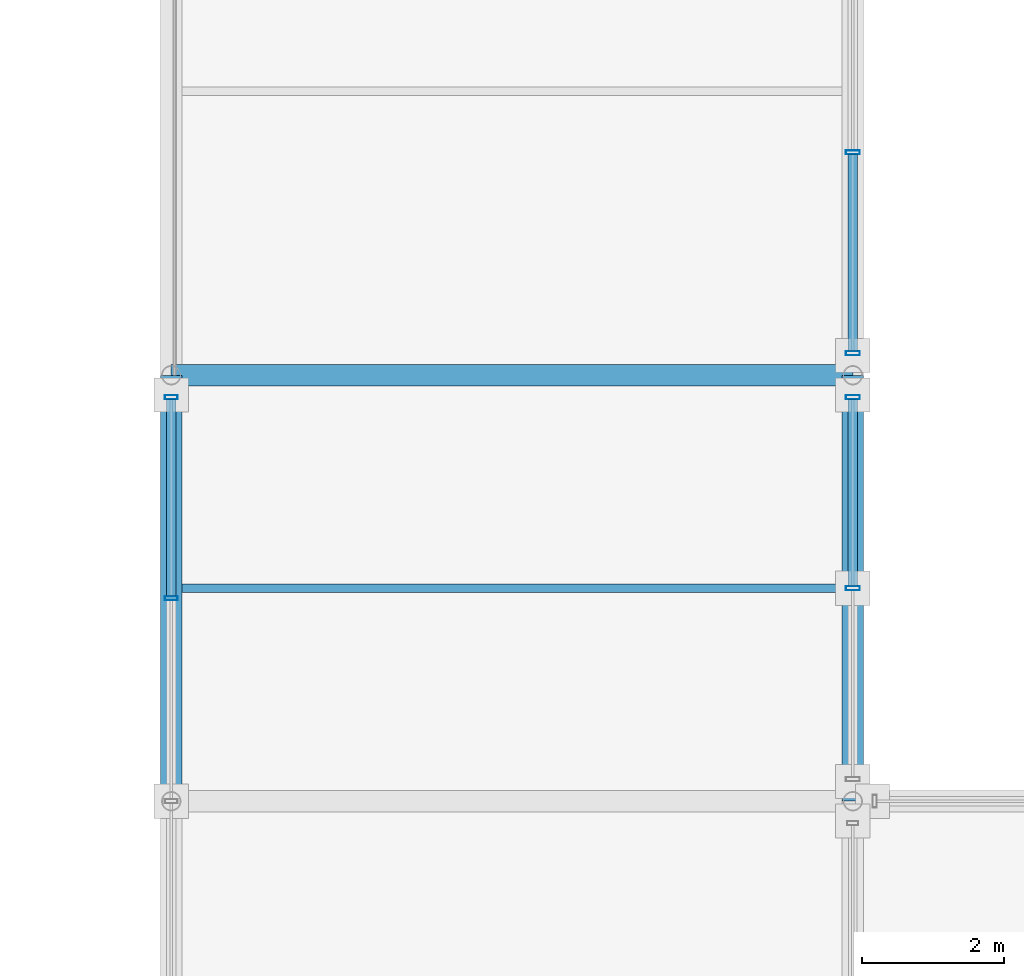
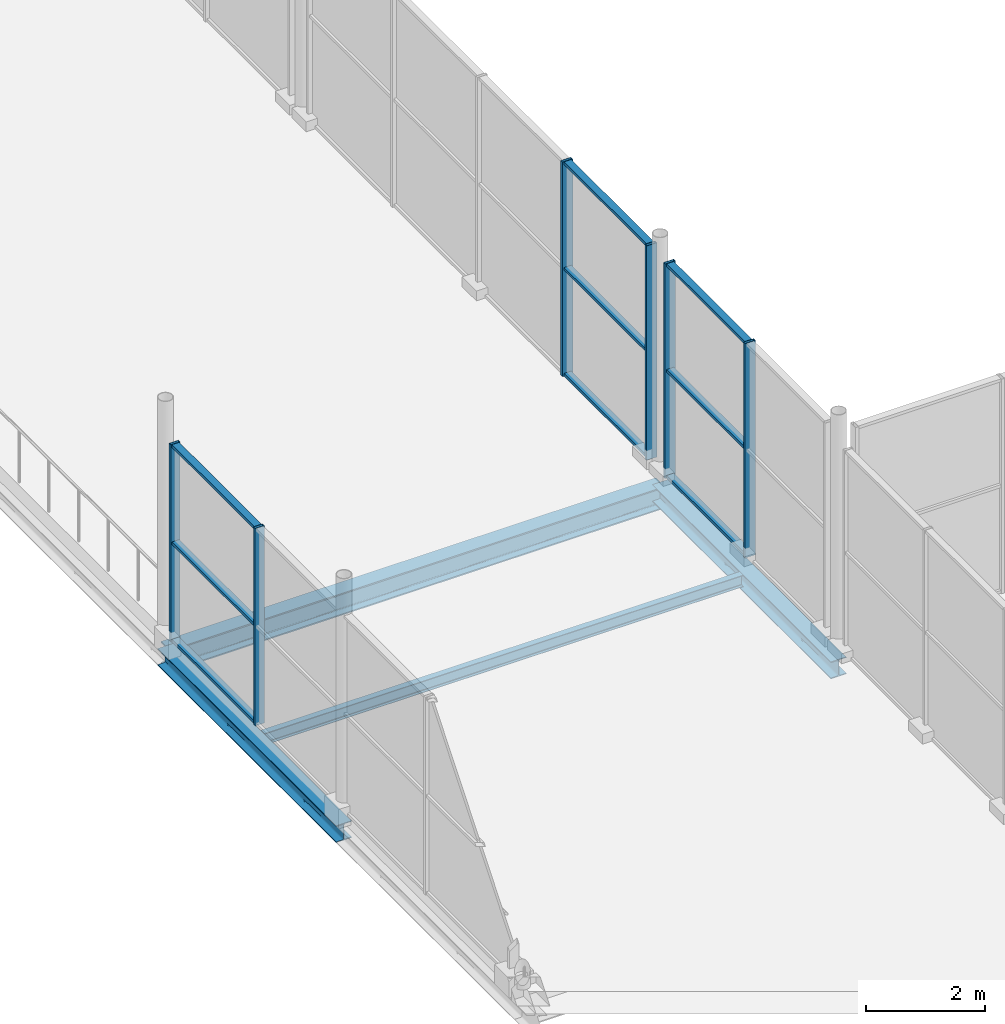
# One storey, part 60 of 159: 15 members, 4 beams, 3 elements without a shape of their own.
"""IFC4 building model written with IfcOpenShell, lengths in metres."""

from ifc_helpers import new_model, si_unit, direction, frame, origin, origin_2d, place, context, subcontext, project, spatial, hollow_rectangle, i_section, extrude, material, material_profile, profile_set, type_object, element, aggregate, save


model = new_model("IFC4")

# Units and contexts
model_context = context("Model", 3, precision=1e-05, world=origin(), true_north=direction((0.0, 1.0)))
body_context = subcontext(model_context, "Body", "Model", "MODEL_VIEW")
ifc_project = project(units=[si_unit("LENGTHUNIT", "METRE"), si_unit("AREAUNIT", "SQUARE_METRE"), si_unit("VOLUMEUNIT", "CUBIC_METRE"), si_unit("PLANEANGLEUNIT", "RADIAN"), si_unit("MASSUNIT", "GRAM", prefix="KILO")], contexts=[model_context])

# Site, building, storey
site_placement = place(None, origin())
site = spatial("IfcSite", under=ifc_project, at=site_placement, CompositionType="ELEMENT")
building_placement = place(site_placement, origin())
building = spatial("IfcBuilding", under=site, at=building_placement, Name="Merenkruunu Market Hall", CompositionType="ELEMENT")
storey_placement = place(building_placement, frame((0.0, 0.0, 5.39990234375)))
storey = spatial("IfcBuildingStorey", under=building, at=storey_placement, Name="L01", CompositionType="ELEMENT", Elevation=5.39990234375)

# Curtain wall, members
ifc_material_1 = material(Name="Powder-coated aluminium", Category="aluminium")
curtain_wall_type_1 = type_object("IfcCurtainWallType", Name="Glazed Curtain Wall CW16", PredefinedType="USERDEFINED", material=ifc_material_1)
curtain_wall_1_placement = place(storey_placement, origin())
curtain_wall_1 = element("IfcCurtainWall", 1, at=curtain_wall_1_placement, inside=storey, type_object=curtain_wall_type_1, Name="CW-L01-CWM02-173", ObjectType="GLAZED_FACADE", PredefinedType="USERDEFINED")
ifc_material_profile_1 = material_profile(ifc_material_1, hollow_rectangle(XDim=0.06005859375, YDim=0.179931640625, WallThickness=0.00390625, at=origin_2d()), Name="ALU 60x180x4")
ifc_profile_set_1 = profile_set([ifc_material_profile_1], Name="Powder-coated aluminium")
member_type_1 = type_object("IfcMemberType", Name="Curtain Wall Mullion CWM02", PredefinedType="MULLION", material=ifc_profile_set_1)
member_1_placement = place(storey_placement, frame((67.199951171875, 48.4599609375, 0.0), z_axis=(0.0, 0.0, 1.0), x_axis=(0.0, 1.0, 0.0)))
member_1 = element("IfcMember", 2, at=member_1_placement, type_object=member_type_1, Name="CW16 mullion 4", PredefinedType="MULLION", context=body_context, shape_type="SweptSolid", body=[
    extrude(hollow_rectangle(XDim=0.06005859375, YDim=0.179931640625, WallThickness=0.00390625, at=origin_2d()), origin(), (0.0, 0.0, 1.0), 4.050048828125),
])
member_2_placement = place(storey_placement, frame((67.199951171875, 51.2900390625, 0.0), z_axis=(0.0, 0.0, 1.0), x_axis=(0.0, 1.0, 0.0)))
member_2 = element("IfcMember", 3, at=member_2_placement, type_object=member_type_1, Name="CW16 mullion 5", PredefinedType="MULLION", context=body_context, shape_type="SweptSolid", body=[
    extrude(hollow_rectangle(XDim=0.06005859375, YDim=0.179931640625, WallThickness=0.00390625, at=origin_2d()), origin(), (0.0, 0.0, 1.0), 4.050048828125),
])

curtain_wall_type_2 = type_object("IfcCurtainWallType", Name="Glazed Curtain Wall CW11", PredefinedType="USERDEFINED", material=ifc_material_1)
curtain_wall_2_placement = place(storey_placement, origin())
curtain_wall_2 = element("IfcCurtainWall", 4, at=curtain_wall_2_placement, inside=storey, type_object=curtain_wall_type_2, Name="CW-L01-CWM03-157", ObjectType="GLAZED_FACADE", PredefinedType="USERDEFINED")
ifc_material_profile_2 = material_profile(ifc_material_1, hollow_rectangle(XDim=0.06005859375, YDim=0.199951171875, WallThickness=0.0048828125, at=origin_2d()), Name="ALU 60x200x5")
ifc_profile_set_2 = profile_set([ifc_material_profile_2], Name="Powder-coated aluminium")
member_type_2 = type_object("IfcMemberType", Name="Curtain Wall Mullion CWM03", PredefinedType="MULLION", material=ifc_profile_set_2)
member_3_placement = place(storey_placement, frame((76.800048828125, 51.2900390625, 0.0), z_axis=(0.0, 0.0, 1.0), x_axis=(0.0, -1.0, 0.0)))
member_3 = element("IfcMember", 5, at=member_3_placement, type_object=member_type_2, Name="CW11 mullion 1", PredefinedType="MULLION", context=body_context, shape_type="SweptSolid", body=[
    extrude(hollow_rectangle(XDim=0.06005859375, YDim=0.199951171875, WallThickness=0.0048828125, at=origin_2d()), origin(), (0.0, 0.0, 1.0), 4.400146484375),
])
member_4_placement = place(storey_placement, frame((76.800048828125, 48.60009765625, 0.0), z_axis=(0.0, 0.0, 1.0), x_axis=(0.0, -1.0, 0.0)))
member_4 = element("IfcMember", 6, at=member_4_placement, type_object=member_type_2, Name="CW11 mullion 2", PredefinedType="MULLION", context=body_context, shape_type="SweptSolid", body=[
    extrude(hollow_rectangle(XDim=0.06005859375, YDim=0.199951171875, WallThickness=0.0048828125, at=origin_2d()), origin(), (0.0, 0.0, 1.0), 4.400146484375),
])

curtain_wall_3_placement = place(storey_placement, origin())
curtain_wall_3 = element("IfcCurtainWall", 7, at=curtain_wall_3_placement, inside=storey, type_object=curtain_wall_type_2, Name="CW-L01-CWM03-160", ObjectType="GLAZED_FACADE", PredefinedType="USERDEFINED")
member_5_placement = place(storey_placement, frame((76.800048828125, 54.739990234375, 0.0), z_axis=(0.0, 0.0, 1.0), x_axis=(0.0, -1.0, 0.0)))
member_5 = element("IfcMember", 8, at=member_5_placement, type_object=member_type_2, Name="CW11 mullion 4", PredefinedType="MULLION", context=body_context, shape_type="SweptSolid", body=[
    extrude(hollow_rectangle(XDim=0.06005859375, YDim=0.199951171875, WallThickness=0.0048828125, at=origin_2d()), origin(), (0.0, 0.0, 1.0), 4.400146484375),
])
member_6_placement = place(storey_placement, frame((76.800048828125, 51.909912109375, 0.0), z_axis=(0.0, 0.0, 1.0), x_axis=(0.0, -1.0, 0.0)))
member_6 = element("IfcMember", 9, at=member_6_placement, type_object=member_type_2, Name="CW11 mullion 5", PredefinedType="MULLION", context=body_context, shape_type="SweptSolid", body=[
    extrude(hollow_rectangle(XDim=0.06005859375, YDim=0.199951171875, WallThickness=0.0048828125, at=origin_2d()), origin(), (0.0, 0.0, 1.0), 4.400146484375),
])

# Member
ifc_material_profile_3 = material_profile(ifc_material_1, hollow_rectangle(XDim=0.06005859375, YDim=0.139892578125, WallThickness=0.00390625, at=origin_2d()), Name="ALU 60x140x4")
ifc_profile_set_3 = profile_set([ifc_material_profile_3], Name="Powder-coated aluminium")
member_type_3 = type_object("IfcMemberType", Name="Curtain Wall Transom CWT02", PredefinedType="USERDEFINED", material=ifc_profile_set_3)
member_7_placement = place(storey_placement, frame((76.800048828125, 51.260009765625, 0.030029296875), z_axis=(0.0, -1.0, 0.0), x_axis=(0.0, 0.0, 1.0)))
member_7 = element("IfcMember", 10, at=member_7_placement, type_object=member_type_3, Name="CW11 transom 1.1", ObjectType="TRANSOM", PredefinedType="USERDEFINED", context=body_context, shape_type="SweptSolid", body=[
    extrude(hollow_rectangle(XDim=0.06005859375, YDim=0.139892578125, WallThickness=0.00390625, at=origin_2d()), origin(), (0.0, 0.0, 1.0), 2.630126953125),
])

member_8_placement = place(storey_placement, frame((76.800048828125, 51.260009765625, 2.2001953125), z_axis=(0.0, -1.0, 0.0), x_axis=(0.0, 0.0, 1.0)))
member_8 = element("IfcMember", 11, at=member_8_placement, type_object=member_type_3, Name="CW11 transom 1.2", ObjectType="TRANSOM", PredefinedType="USERDEFINED", context=body_context, shape_type="SweptSolid", body=[
    extrude(hollow_rectangle(XDim=0.06005859375, YDim=0.139892578125, WallThickness=0.00390625, at=origin_2d()), origin(), (0.0, 0.0, 1.0), 2.630126953125),
])

member_9_placement = place(storey_placement, frame((76.800048828125, 51.260009765625, 4.3701171875), z_axis=(0.0, -1.0, 0.0), x_axis=(0.0, 0.0, 1.0)))
member_9 = element("IfcMember", 12, at=member_9_placement, type_object=member_type_3, Name="CW11 transom 1.3", ObjectType="TRANSOM", PredefinedType="USERDEFINED", context=body_context, shape_type="SweptSolid", body=[
    extrude(hollow_rectangle(XDim=0.06005859375, YDim=0.139892578125, WallThickness=0.00390625, at=origin_2d()), origin(), (0.0, 0.0, 1.0), 2.630126953125),
])

aggregate(curtain_wall_2, [member_3, member_4, member_7, member_8, member_9])

member_10_placement = place(storey_placement, frame((76.800048828125, 54.7099609375, 0.030029296875), z_axis=(0.0, -1.0, 0.0), x_axis=(0.0, 0.0, 1.0)))
member_10 = element("IfcMember", 13, at=member_10_placement, type_object=member_type_3, Name="CW11 transom 4.1", ObjectType="TRANSOM", PredefinedType="USERDEFINED", context=body_context, shape_type="SweptSolid", body=[
    extrude(hollow_rectangle(XDim=0.06005859375, YDim=0.139892578125, WallThickness=0.00390625, at=origin_2d()), origin(), (0.0, 0.0, 1.0), 2.77001953125),
])

member_11_placement = place(storey_placement, frame((76.800048828125, 54.7099609375, 2.2001953125), z_axis=(0.0, -1.0, 0.0), x_axis=(0.0, 0.0, 1.0)))
member_11 = element("IfcMember", 14, at=member_11_placement, type_object=member_type_3, Name="CW11 transom 4.2", ObjectType="TRANSOM", PredefinedType="USERDEFINED", context=body_context, shape_type="SweptSolid", body=[
    extrude(hollow_rectangle(XDim=0.06005859375, YDim=0.139892578125, WallThickness=0.00390625, at=origin_2d()), origin(), (0.0, 0.0, 1.0), 2.77001953125),
])

member_12_placement = place(storey_placement, frame((76.800048828125, 54.7099609375, 4.3701171875), z_axis=(0.0, -1.0, 0.0), x_axis=(0.0, 0.0, 1.0)))
member_12 = element("IfcMember", 15, at=member_12_placement, type_object=member_type_3, Name="CW11 transom 4.3", ObjectType="TRANSOM", PredefinedType="USERDEFINED", context=body_context, shape_type="SweptSolid", body=[
    extrude(hollow_rectangle(XDim=0.06005859375, YDim=0.139892578125, WallThickness=0.00390625, at=origin_2d()), origin(), (0.0, 0.0, 1.0), 2.77001953125),
])

aggregate(curtain_wall_3, [member_5, member_6, member_10, member_11, member_12])

member_13_placement = place(storey_placement, frame((67.199951171875, 48.489990234375, 0.030029296875), z_axis=(0.0, 1.0, 0.0), x_axis=(0.0, 0.0, 1.0)))
member_13 = element("IfcMember", 16, at=member_13_placement, type_object=member_type_3, Name="CW16 transom 4.1", ObjectType="TRANSOM", PredefinedType="USERDEFINED", context=body_context, shape_type="SweptSolid", body=[
    extrude(hollow_rectangle(XDim=0.06005859375, YDim=0.139892578125, WallThickness=0.00390625, at=origin_2d()), origin(), (0.0, 0.0, 1.0), 2.77001953125),
])

member_14_placement = place(storey_placement, frame((67.199951171875, 48.489990234375, 2.025146484375), z_axis=(0.0, 1.0, 0.0), x_axis=(0.0, 0.0, 1.0)))
member_14 = element("IfcMember", 17, at=member_14_placement, type_object=member_type_3, Name="CW16 transom 4.2", ObjectType="TRANSOM", PredefinedType="USERDEFINED", context=body_context, shape_type="SweptSolid", body=[
    extrude(hollow_rectangle(XDim=0.06005859375, YDim=0.139892578125, WallThickness=0.00390625, at=origin_2d()), origin(), (0.0, 0.0, 1.0), 2.77001953125),
])

member_15_placement = place(storey_placement, frame((67.199951171875, 48.489990234375, 4.02001953125), z_axis=(0.0, 1.0, 0.0), x_axis=(0.0, 0.0, 1.0)))
member_15 = element("IfcMember", 18, at=member_15_placement, type_object=member_type_3, Name="CW16 transom 4.3", ObjectType="TRANSOM", PredefinedType="USERDEFINED", context=body_context, shape_type="SweptSolid", body=[
    extrude(hollow_rectangle(XDim=0.06005859375, YDim=0.139892578125, WallThickness=0.00390625, at=origin_2d()), origin(), (0.0, 0.0, 1.0), 2.77001953125),
])

aggregate(curtain_wall_1, [member_1, member_2, member_13, member_14, member_15])

# Beams
ifc_material_2 = material(Name="Steel S355J2", Category="steel")
ifc_material_profile_4 = material_profile(ifc_material_2, i_section(OverallWidth=0.300048828125, OverallDepth=0.449951171875, WebThickness=0.013916015625, FlangeThickness=0.02587890625, FilletRadius=0.027099609375, at=origin_2d()), Name="HEB 450")
ifc_profile_set_4 = profile_set([ifc_material_profile_4], Name="Steel S355J2")
beam_type_1 = type_object("IfcBeamType", Name="Primary Floor Girder B03", PredefinedType="BEAM", material=ifc_profile_set_4)
beam_1_placement = place(storey_placement, frame((67.199951171875, 51.60009765625, -0.534912109375), z_axis=(1.0, 0.0, 0.0), x_axis=(0.0, 1.0, 0.0)))
element("IfcBeam", 19, at=beam_1_placement, inside=storey, type_object=beam_type_1, Name="BM-L01-B03-0521", PredefinedType="BEAM", context=body_context, shape_type="SweptSolid", body=[
    extrude(i_section(OverallWidth=0.300048828125, OverallDepth=0.449951171875, WebThickness=0.013916015625, FlangeThickness=0.02587890625, FilletRadius=0.027099609375, at=origin_2d()), origin(), (0.0, 0.0, 1.0), 9.60009765625),
])
ifc_material_profile_5 = material_profile(ifc_material_2, i_section(OverallWidth=0.300048828125, OverallDepth=0.35009765625, WebThickness=0.010009765625, FlangeThickness=0.017578125, FilletRadius=0.027099609375, at=origin_2d()), Name="HEA 360")
ifc_profile_set_5 = profile_set([ifc_material_profile_5], Name="Steel S355J2")
beam_type_2 = type_object("IfcBeamType", Name="Primary Floor Girder B08", PredefinedType="BEAM", material=ifc_profile_set_5)
for number, where, z_axis, x_axis, name in (
    (20, (67.199951171875, 45.60009765625, -0.48486328125), (0.0, 1.0, 0.0), (-1.0, 0.0, 0.0), "BM-L01-B08-0592"),
    (21, (76.800048828125, 45.60009765625, -0.48486328125), (0.0, 1.0, 0.0), (-1.0, 0.0, 0.0), "BM-L01-B08-0600"),
):
    element("IfcBeam", number, at=place(storey_placement, frame(where, z_axis=z_axis, x_axis=x_axis)), inside=storey, type_object=beam_type_2, Name=name, PredefinedType="BEAM", context=body_context, shape_type="SweptSolid", body=[
        extrude(i_section(OverallWidth=0.300048828125, OverallDepth=0.35009765625, WebThickness=0.010009765625, FlangeThickness=0.017578125, FilletRadius=0.027099609375, at=origin_2d()), origin(), (0.0, 0.0, 1.0), 6.0),
    ])
ifc_material_profile_6 = material_profile(ifc_material_2, i_section(OverallWidth=0.1201171875, OverallDepth=0.239990234375, WebThickness=0.006103515625, FlangeThickness=0.009765625, FilletRadius=0.014892578125, at=origin_2d()), Name="IPE 240")
ifc_profile_set_6 = profile_set([ifc_material_profile_6], Name="Steel S355J2")
beam_type_3 = type_object("IfcBeamType", Name="Secondary Floor Joist J05", PredefinedType="JOIST", material=ifc_profile_set_6)
beam_2_placement = place(storey_placement, frame((67.35302734375, 48.60009765625, -0.429931640625), z_axis=(1.0, 0.0, 0.0), x_axis=(0.0, 1.0, 0.0)))
element("IfcBeam", 22, at=beam_2_placement, inside=storey, type_object=beam_type_3, Name="BM-L01-J05-0681", PredefinedType="JOIST", context=body_context, shape_type="SweptSolid", body=[
    extrude(i_section(OverallWidth=0.1201171875, OverallDepth=0.239990234375, WebThickness=0.006103515625, FlangeThickness=0.009765625, FilletRadius=0.014892578125, at=origin_2d()), origin(), (0.0, 0.0, 1.0), 9.2939453125),
])

save(model, "model.ifc")
